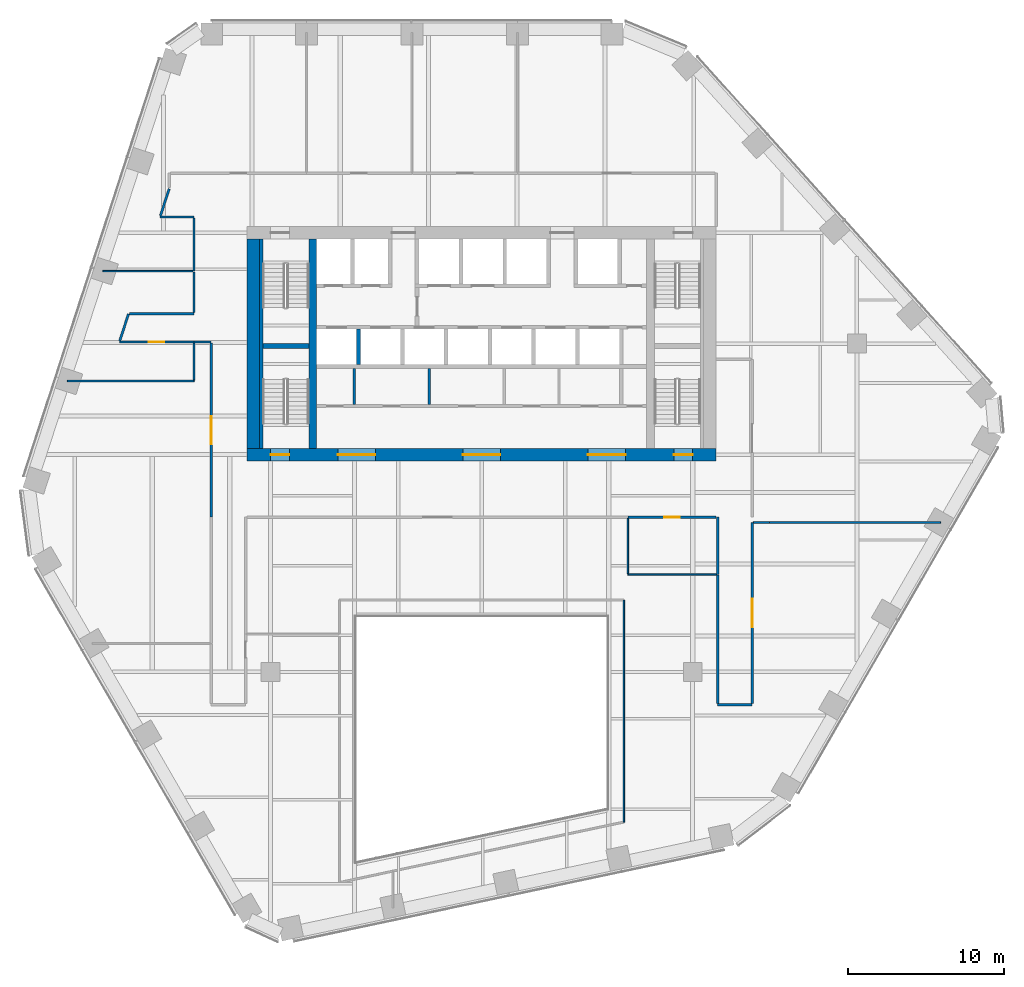
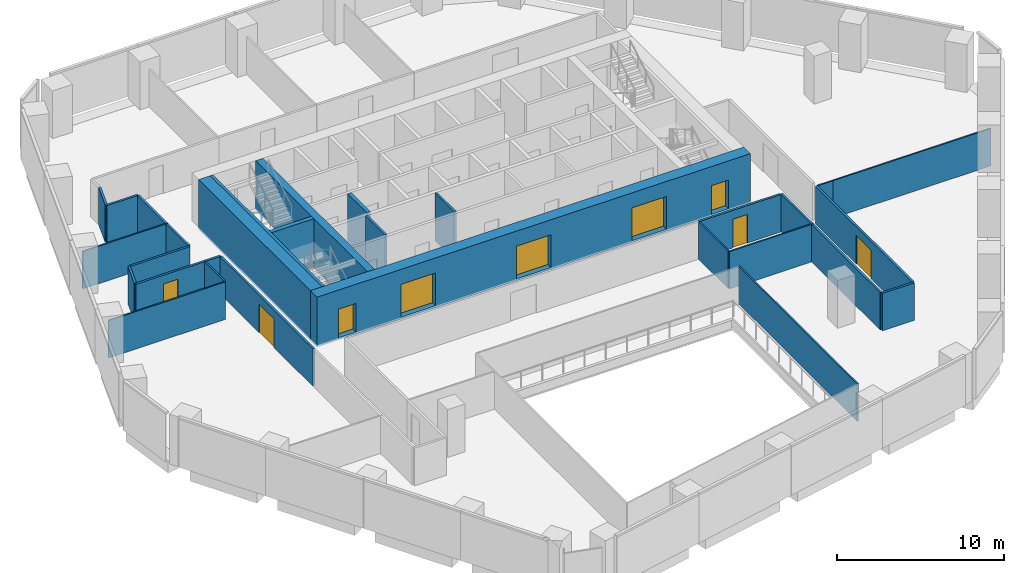
# One storey, part 11 of 16: 30 walls, 9 doors, 9 openings.
"""IFC4 building model written with IfcOpenShell, lengths in metres."""

from ifc_helpers import new_model, si_unit, direction, frame, frame_2d, origin, place, context, subcontext, project, spatial, rectangle, extrude, material, layer, layer_set, type_object, element, fill, save


model = new_model("IFC4")

# Units and contexts
model_context = context("Model", 3, precision=1e-05, world=origin(), true_north=direction((0.0, 1.0)))
body_context = subcontext(model_context, "Body", "Model", "MODEL_VIEW")
ifc_project = project(units=[si_unit("LENGTHUNIT", "METRE"), si_unit("AREAUNIT", "SQUARE_METRE"), si_unit("VOLUMEUNIT", "CUBIC_METRE"), si_unit("PLANEANGLEUNIT", "RADIAN"), si_unit("MASSUNIT", "GRAM", prefix="KILO")], contexts=[model_context])

# Site, building, storey
site_placement = place(None, origin())
site = spatial("IfcSite", under=ifc_project, at=site_placement, CompositionType="ELEMENT")
building_placement = place(site_placement, origin())
building = spatial("IfcBuilding", under=site, at=building_placement, Name="Isthmus Gate Tower", CompositionType="ELEMENT")
storey_placement = place(building_placement, frame((0.0, 0.0, 151.699951171875)))
storey = spatial("IfcBuildingStorey", under=building, at=storey_placement, Name="L37", CompositionType="ELEMENT", Elevation=151.699951171875)

# Wall
ifc_material_1 = material(Name="Fire-rated laminated glass in steel frame", Category="steel")
ifc_layer_1 = layer(ifc_material_1, 0.10009765625)
ifc_layer_set_1 = layer_set([ifc_layer_1], Name="ATRIUM SCREEN GLAZED WALL 100 120 MIN")
wall_type_1 = type_object("IfcWallType", Name="ATRIUM SCREEN GLAZED WALL 100 120 MIN", PredefinedType="PARTITIONING", material=ifc_layer_set_1)
wall_1_placement = place(storey_placement, frame((9.10009765625, -8.89990234375, 0.0), z_axis=(0.0, 0.0, 1.0), x_axis=(0.0, -1.0, 0.0)))
element("IfcWall", 1, at=wall_1_placement, inside=storey, type_object=wall_type_1, Name="L37 atrium screen", PredefinedType="PARTITIONING", context=body_context, shape_type="SweptSolid", body=[
    extrude(rectangle(XDim=14.200927734375, YDim=0.10009765625, at=frame_2d((7.1005859375, 0.0))), origin(), (0.0, 0.0, 1.0), 2.7412109375),
])

# Wall, opening, door
ifc_material_2 = material(Name="Gypsum board on steel studs, fire-rated", Category="steel")
ifc_layer_2 = layer(ifc_material_2, 0.14990234375)
ifc_layer_set_2 = layer_set([ifc_layer_2], Name="CORRIDOR WALL 150 60 MIN")
wall_type_2 = type_object("IfcWallType", Name="CORRIDOR WALL 150 60 MIN", PredefinedType="PARTITIONING", material=ifc_layer_set_2)
wall_2_placement = place(storey_placement, frame((15.0, -3.60009765625, 0.0), z_axis=(0.0, 0.0, 1.0), x_axis=(-1.0, 0.0, 0.0)))
wall_2 = element("IfcWall", 2, at=wall_2_placement, inside=storey, type_object=wall_type_2, Name="L37 Corridor Wall 150 60 Min", PredefinedType="PARTITIONING", context=body_context, shape_type="SweptSolid", body=[
    extrude(rectangle(XDim=5.64990234375, YDim=0.14990234375, at=frame_2d((2.824951171875, 0.0))), origin(), (0.0, 0.0, 1.0), 2.7412109375),
])
opening_1_placement = place(wall_2_placement, frame((2.324951171875, 0.0, 0.0)))
opening_1 = element("IfcOpeningElement", 3, at=opening_1_placement, cuts=wall_2, Name="Opening DT-T3C-08", PredefinedType="OPENING", context=body_context, shape_type="SweptSolid", body=[
    extrude(rectangle(XDim=1.0, YDim=2.10009765625, at=frame_2d((0.5, 1.050048828125))), frame((0.0, 0.0849609375, 0.0), z_axis=(0.0, -1.0, 0.0), x_axis=(1.0, 0.0, 0.0)), (0.0, 0.0, 1.0), 0.169921875),
])
ifc_material_3 = material(Name="Solid core timber door leaf, fire-rated", Category="wood")
door_type_1 = type_object("IfcDoorType", Name="FIRE DOOR ROOM 1000 X 2100 60 MIN", OperationType="SINGLE_SWING_LEFT", PredefinedType="DOOR", material=ifc_material_3)
door_1_placement = place(opening_1_placement, origin())
door_1 = element("IfcDoor", 4, at=door_1_placement, inside=storey, type_object=door_type_1, Name="L37 room door", OperationType="SINGLE_SWING_RIGHT", OverallHeight=2.10009765625, OverallWidth=1.0, PredefinedType="DOOR", context=body_context, shape_type="SweptSolid", body=[
    extrude(rectangle(XDim=1.0, YDim=2.10009765625, at=frame_2d((0.5, 1.050048828125))), frame((0.0, 0.02490234375, 0.0), z_axis=(0.0, -1.0, 0.0), x_axis=(1.0, 0.0, 0.0)), (0.0, 0.0, 1.0), 0.050048828125),
])
fill(opening_1, door_1)

# Wall
wall_3_placement = place(storey_placement, frame((-18.39990234375, 15.60009765625, 0.0), z_axis=(0.0, 0.0, 1.0), x_axis=(-1.0, 0.0, 0.0)))
element("IfcWall", 5, at=wall_3_placement, inside=storey, type_object=wall_type_2, Name="L37 Corridor Wall 150 60 Min", PredefinedType="PARTITIONING", context=body_context, shape_type="SweptSolid", body=[
    extrude(rectangle(XDim=2.174072265625, YDim=0.14990234375, at=frame_2d((1.0869140625, 0.0))), origin(), (0.0, 0.0, 1.0), 2.7412109375),
])

# Wall, opening, door
wall_4_placement = place(storey_placement, frame((-23.174072265625, 7.60009765625, 0.0), z_axis=(0.0, 0.0, 1.0), x_axis=(1.0, 0.0, 0.0)))
wall_4 = element("IfcWall", 6, at=wall_4_placement, inside=storey, type_object=wall_type_2, Name="L37 Corridor Wall 150 60 Min", PredefinedType="PARTITIONING", context=body_context, shape_type="SweptSolid", body=[
    extrude(rectangle(XDim=4.77197265625, YDim=0.14990234375, at=frame_2d((2.385986328125, 0.0))), origin(), (0.0, 0.0, 1.0), 2.7412109375),
])
opening_2_placement = place(wall_4_placement, frame((1.885986328125, 0.0, 0.0)))
opening_2 = element("IfcOpeningElement", 7, at=opening_2_placement, cuts=wall_4, Name="Opening DT-T3C-06", PredefinedType="OPENING", context=body_context, shape_type="SweptSolid", body=[
    extrude(rectangle(XDim=1.0, YDim=2.10009765625, at=frame_2d((0.5, 1.050048828125))), frame((0.0, 0.0849609375, 0.0), z_axis=(0.0, -1.0, 0.0), x_axis=(1.0, 0.0, 0.0)), (0.0, 0.0, 1.0), 0.169921875),
])
door_2_placement = place(opening_2_placement, origin())
door_2 = element("IfcDoor", 8, at=door_2_placement, inside=storey, type_object=door_type_1, Name="L37 room door", OperationType="SINGLE_SWING_RIGHT", OverallHeight=2.10009765625, OverallWidth=1.0, PredefinedType="DOOR", context=body_context, shape_type="SweptSolid", body=[
    extrude(rectangle(XDim=1.0, YDim=2.10009765625, at=frame_2d((0.5, 1.050048828125))), frame((0.0, 0.02490234375, 0.0), z_axis=(0.0, -1.0, 0.0), x_axis=(1.0, 0.0, 0.0)), (0.0, 0.0, 1.0), 0.050048828125),
])
fill(opening_2, door_2)

# Walls
wall_5_placement = place(storey_placement, frame((-17.298095703125, 7.60205078125, 0.0), z_axis=(0.0, 0.0, 1.0), x_axis=(-1.0, 0.0, 0.0)))
element("IfcWall", 9, at=wall_5_placement, inside=storey, type_object=wall_type_2, Name="L37 Corridor Wall 150 60 Min", PredefinedType="PARTITIONING", context=body_context, shape_type="SweptSolid", body=[
    extrude(rectangle(XDim=1.10400390625, YDim=0.14990234375, at=frame_2d((0.552001953125, 0.0))), origin(), (0.0, 0.0, 1.0), 2.7412109375),
])
wall_6_placement = place(storey_placement, frame((17.300048828125, -15.60009765625, 0.0), z_axis=(0.0, 0.0, 1.0), x_axis=(-1.0, 0.0, 0.0)))
element("IfcWall", 10, at=wall_6_placement, inside=storey, type_object=wall_type_2, Name="L37 Corridor Wall 150 60 Min", PredefinedType="PARTITIONING", context=body_context, shape_type="SweptSolid", body=[
    extrude(rectangle(XDim=2.199951171875, YDim=0.14990234375, at=frame_2d((1.10009765625, 0.0))), origin(), (0.0, 0.0, 1.0), 2.7412109375),
])

# Wall, opening, door
wall_7_placement = place(storey_placement, frame((17.300048828125, -3.93994140625, 0.0), z_axis=(0.0, 0.0, 1.0), x_axis=(0.0, -1.0, 0.0)))
wall_7 = element("IfcWall", 11, at=wall_7_placement, inside=storey, type_object=wall_type_2, Name="L37 Corridor Wall 150 60 Min", PredefinedType="PARTITIONING", context=body_context, shape_type="SweptSolid", body=[
    extrude(rectangle(XDim=11.5849609375, YDim=0.14990234375, at=frame_2d((5.79248046875, 0.0))), origin(), (0.0, 0.0, 1.0), 2.7412109375),
])
opening_3_placement = place(wall_7_placement, frame((4.892578125, 0.0, 0.0)))
opening_3 = element("IfcOpeningElement", 12, at=opening_3_placement, cuts=wall_7, Name="Opening DT-T3C-10", PredefinedType="OPENING", context=body_context, shape_type="SweptSolid", body=[
    extrude(rectangle(XDim=1.800048828125, YDim=2.10009765625, at=frame_2d((0.89990234375, 1.050048828125))), frame((0.0, 0.0849609375, 0.0), z_axis=(0.0, -1.0, 0.0), x_axis=(1.0, 0.0, 0.0)), (0.0, 0.0, 1.0), 0.169921875),
])
ifc_material_4 = material(Name="Solid core timber door leaf, fire-rated", Category="wood")
door_type_2 = type_object("IfcDoorType", Name="FIRE DOOR ROOM 1800 X 2100 60 MIN", OperationType="DOUBLE_DOOR_DOUBLE_SWING", PredefinedType="DOOR", material=ifc_material_4)
door_3_placement = place(opening_3_placement, origin())
door_3 = element("IfcDoor", 13, at=door_3_placement, inside=storey, type_object=door_type_2, Name="L37 room door", OperationType="DOUBLE_DOOR_DOUBLE_SWING", OverallHeight=2.10009765625, OverallWidth=1.800048828125, PredefinedType="DOOR", context=body_context, shape_type="SweptSolid", body=[
    extrude(rectangle(XDim=1.800048828125, YDim=2.10009765625, at=frame_2d((0.89990234375, 1.050048828125))), frame((0.0, 0.02490234375, 0.0), z_axis=(0.0, -1.0, 0.0), x_axis=(1.0, 0.0, 0.0)), (0.0, 0.0, 1.0), 0.050048828125),
])
fill(opening_3, door_3)

# Walls
wall_8_placement = place(storey_placement, frame((-20.55078125, 15.67138671875, 0.0), z_axis=(0.0, 0.0, 1.0), x_axis=(0.30859997516, 0.951191912987, 0.0)))
element("IfcWall", 14, at=wall_8_placement, inside=storey, type_object=wall_type_2, Name="L37 Corridor Wall 150 60 Min", PredefinedType="PARTITIONING", context=body_context, shape_type="SweptSolid", body=[
    extrude(rectangle(XDim=1.817138671875, YDim=0.14990234375, at=frame_2d((0.90869140625, 0.0))), origin(), (0.0, 0.0, 1.0), 2.7412109375),
])
wall_9_placement = place(storey_placement, frame((-18.39990234375, 12.14111328125, 0.0), z_axis=(0.0, 0.0, 1.0), x_axis=(0.0, 1.0, 0.0)))
element("IfcWall", 15, at=wall_9_placement, inside=storey, type_object=wall_type_2, Name="L37 Corridor Wall 150 60 Min", PredefinedType="PARTITIONING", context=body_context, shape_type="SweptSolid", body=[
    extrude(rectangle(XDim=3.3837890625, YDim=0.14990234375, at=frame_2d((1.69189453125, 0.0))), origin(), (0.0, 0.0, 1.0), 2.7412109375),
])
wall_10_placement = place(storey_placement, frame((-23.15087890625, 7.67138671875, 0.0), z_axis=(0.0, 0.0, 1.0), x_axis=(0.309086072338, 0.951034068731, 0.0)))
element("IfcWall", 16, at=wall_10_placement, inside=storey, type_object=wall_type_2, Name="L37 Corridor Wall 150 60 Min", PredefinedType="PARTITIONING", context=body_context, shape_type="SweptSolid", body=[
    extrude(rectangle(XDim=1.817626953125, YDim=0.14990234375, at=frame_2d((0.90869140625, 0.0))), origin(), (0.0, 0.0, 1.0), 2.7412109375),
])
wall_11_placement = place(storey_placement, frame((-22.513916015625, 9.39990234375, 0.0), z_axis=(0.0, 0.0, 1.0), x_axis=(1.0, 0.0, 0.0)))
element("IfcWall", 17, at=wall_11_placement, inside=storey, type_object=wall_type_2, Name="L37 Corridor Wall 150 60 Min", PredefinedType="PARTITIONING", context=body_context, shape_type="SweptSolid", body=[
    extrude(rectangle(XDim=4.114013671875, YDim=0.14990234375, at=frame_2d((2.05712890625, 0.0))), origin(), (0.0, 0.0, 1.0), 2.7412109375),
])
wall_12_placement = place(storey_placement, frame((-18.39990234375, 9.47509765625, 0.0), z_axis=(0.0, 0.0, 1.0), x_axis=(0.0, 1.0, 0.0)))
element("IfcWall", 18, at=wall_12_placement, inside=storey, type_object=wall_type_2, Name="L37 Corridor Wall 150 60 Min", PredefinedType="PARTITIONING", context=body_context, shape_type="SweptSolid", body=[
    extrude(rectangle(XDim=2.615966796875, YDim=0.14990234375, at=frame_2d((1.30810546875, 0.0))), origin(), (0.0, 0.0, 1.0), 2.7412109375),
])

# Wall, opening, door
wall_13_placement = place(storey_placement, frame((-17.298095703125, -3.60205078125, 0.0), z_axis=(0.0, 0.0, 1.0), x_axis=(0.0, 1.0, 0.0)))
wall_13 = element("IfcWall", 19, at=wall_13_placement, inside=storey, type_object=wall_type_2, Name="L37 Corridor Wall 150 60 Min", PredefinedType="PARTITIONING", context=body_context, shape_type="SweptSolid", body=[
    extrude(rectangle(XDim=11.129150390625, YDim=0.14990234375, at=frame_2d((5.564453125, 0.0))), origin(), (0.0, 0.0, 1.0), 2.7412109375),
])
opening_4_placement = place(wall_13_placement, frame((4.66455078125, 0.0, 0.0)))
opening_4 = element("IfcOpeningElement", 20, at=opening_4_placement, cuts=wall_13, Name="Opening DT-T3C-07", PredefinedType="OPENING", context=body_context, shape_type="SweptSolid", body=[
    extrude(rectangle(XDim=1.800048828125, YDim=2.10009765625, at=frame_2d((0.89990234375, 1.050048828125))), frame((0.0, 0.0849609375, 0.0), z_axis=(0.0, -1.0, 0.0), x_axis=(1.0, 0.0, 0.0)), (0.0, 0.0, 1.0), 0.169921875),
])
door_4_placement = place(opening_4_placement, origin())
door_4 = element("IfcDoor", 21, at=door_4_placement, inside=storey, type_object=door_type_2, Name="L37 room door", OperationType="DOUBLE_DOOR_DOUBLE_SWING", OverallHeight=2.10009765625, OverallWidth=1.800048828125, PredefinedType="DOOR", context=body_context, shape_type="SweptSolid", body=[
    extrude(rectangle(XDim=1.800048828125, YDim=2.10009765625, at=frame_2d((0.89990234375, 1.050048828125))), frame((0.0, 0.02490234375, 0.0), z_axis=(0.0, -1.0, 0.0), x_axis=(1.0, 0.0, 0.0)), (0.0, 0.0, 1.0), 0.050048828125),
])
fill(opening_4, door_4)

# Walls
wall_14_placement = place(storey_placement, frame((15.10009765625, -7.257080078125, 0.0), z_axis=(0.0, 0.0, 1.0), x_axis=(0.0, 1.0, 0.0)))
element("IfcWall", 22, at=wall_14_placement, inside=storey, type_object=wall_type_2, Name="L37 Corridor Wall 150 60 Min", PredefinedType="PARTITIONING", context=body_context, shape_type="SweptSolid", body=[
    extrude(rectangle(XDim=3.656982421875, YDim=0.14990234375, at=frame_2d((1.82861328125, 0.0))), origin(), (0.0, 0.0, 1.0), 2.7412109375),
])
wall_15_placement = place(storey_placement, frame((15.10009765625, -15.52490234375, 0.0), z_axis=(0.0, 0.0, 1.0), x_axis=(0.0, 1.0, 0.0)))
element("IfcWall", 23, at=wall_15_placement, inside=storey, type_object=wall_type_2, Name="L37 Corridor Wall 150 60 Min", PredefinedType="PARTITIONING", context=body_context, shape_type="SweptSolid", body=[
    extrude(rectangle(XDim=8.218017578125, YDim=0.14990234375, at=frame_2d((4.10888671875, 0.0))), origin(), (0.0, 0.0, 1.0), 2.7412109375),
])
ifc_material_5 = material(Name="Concrete f'c 60 MPa", Category="concrete")
ifc_layer_3 = layer(ifc_material_5, 0.5)
ifc_layer_set_3 = layer_set([ifc_layer_3], Name="RC CORE SPINE WALL 500 F'C 60")
wall_type_3 = type_object("IfcWallType", Name="RC CORE SPINE WALL 500 F'C 60", PredefinedType="SOLIDWALL", material=ifc_layer_set_3)
wall_16_placement = place(storey_placement, frame((-10.800048828125, 0.800048828125, -0.14990234375), z_axis=(0.0, 0.0, 1.0), x_axis=(0.0, 1.0, 0.0)))
element("IfcWall", 24, at=wall_16_placement, inside=storey, type_object=wall_type_3, Name="str-corewall-L37-SPW", PredefinedType="SOLIDWALL", context=body_context, shape_type="SweptSolid", body=[
    extrude(rectangle(XDim=13.39990234375, YDim=0.5, at=frame_2d((6.699951171875, 0.0))), origin(), (0.0, 0.0, 1.0), 3.64990234375),
])

# Wall, openings, doors
ifc_material_6 = material(Name="Concrete f'c 60 MPa", Category="concrete")
ifc_layer_4 = layer(ifc_material_6, 0.800048828125)
ifc_layer_set_4 = layer_set([ifc_layer_4], Name="RC CORE WALL 800 F'C 60")
wall_type_4 = type_object("IfcWallType", Name="RC CORE WALL 800 F'C 60", PredefinedType="SOLIDWALL", material=ifc_layer_set_4)
wall_17_placement = place(storey_placement, frame((-15.0, 0.39990234375, -0.14990234375), z_axis=(0.0, 0.0, 1.0), x_axis=(1.0, 0.0, 0.0)))
wall_17 = element("IfcWall", 25, at=wall_17_placement, inside=storey, type_object=wall_type_4, Name="str-corewall-L37-S", PredefinedType="SOLIDWALL", context=body_context, shape_type="SweptSolid", body=[
    extrude(rectangle(XDim=30.0, YDim=0.800048828125, at=frame_2d((15.0, 0.0))), origin(), (0.0, 0.0, 1.0), 3.64990234375),
])
opening_5_placement = place(wall_17_placement, frame((5.800048828125, 0.0, 0.14990234375)))
opening_5 = element("IfcOpeningElement", 26, at=opening_5_placement, cuts=wall_17, Name="Opening DC-A12-10", PredefinedType="OPENING", context=body_context, shape_type="SweptSolid", body=[
    extrude(rectangle(XDim=2.39990234375, YDim=2.39990234375, at=frame_2d((1.199951171875, 1.199951171875))), frame((0.0, 0.409912109375, 0.0), z_axis=(0.0, -1.0, 0.0), x_axis=(1.0, 0.0, 0.0)), (0.0, 0.0, 1.0), 0.820068359375),
])
opening_6_placement = place(wall_17_placement, frame((13.800048828125, 0.0, 0.14990234375)))
opening_6 = element("IfcOpeningElement", 27, at=opening_6_placement, cuts=wall_17, Name="Opening DC-A12-11", PredefinedType="OPENING", context=body_context, shape_type="SweptSolid", body=[
    extrude(rectangle(XDim=2.39990234375, YDim=2.39990234375, at=frame_2d((1.199951171875, 1.199951171875))), frame((0.0, 0.409912109375, 0.0), z_axis=(0.0, -1.0, 0.0), x_axis=(1.0, 0.0, 0.0)), (0.0, 0.0, 1.0), 0.820068359375),
])
opening_7_placement = place(wall_17_placement, frame((21.800048828125, 0.0, 0.14990234375)))
opening_7 = element("IfcOpeningElement", 28, at=opening_7_placement, cuts=wall_17, Name="Opening DC-A12-12", PredefinedType="OPENING", context=body_context, shape_type="SweptSolid", body=[
    extrude(rectangle(XDim=2.39990234375, YDim=2.39990234375, at=frame_2d((1.199951171875, 1.199951171875))), frame((0.0, 0.409912109375, 0.0), z_axis=(0.0, -1.0, 0.0), x_axis=(1.0, 0.0, 0.0)), (0.0, 0.0, 1.0), 0.820068359375),
])
opening_8_placement = place(wall_17_placement, frame((1.5, 0.0, 0.14990234375)))
opening_8 = element("IfcOpeningElement", 29, at=opening_8_placement, cuts=wall_17, Name="Opening DC-A12-17", PredefinedType="OPENING", context=body_context, shape_type="SweptSolid", body=[
    extrude(rectangle(XDim=1.199951171875, YDim=2.10009765625, at=frame_2d((0.60009765625, 1.050048828125))), frame((0.0, 0.409912109375, 0.0), z_axis=(0.0, -1.0, 0.0), x_axis=(1.0, 0.0, 0.0)), (0.0, 0.0, 1.0), 0.820068359375),
])
opening_9_placement = place(wall_17_placement, frame((27.300048828125, 0.0, 0.14990234375)))
opening_9 = element("IfcOpeningElement", 30, at=opening_9_placement, cuts=wall_17, Name="Opening DC-A12-18", PredefinedType="OPENING", context=body_context, shape_type="SweptSolid", body=[
    extrude(rectangle(XDim=1.199951171875, YDim=2.10009765625, at=frame_2d((0.60009765625, 1.050048828125))), frame((0.0, 0.409912109375, 0.0), z_axis=(0.0, -1.0, 0.0), x_axis=(1.0, 0.0, 0.0)), (0.0, 0.0, 1.0), 0.820068359375),
])
ifc_material_7 = material(Name="Laminated safety glass in steel frame, fire-rated", Category="steel")
door_type_3 = type_object("IfcDoorType", Name="LOBBY ENTRANCE FIRE DOOR 2400 X 2400 60 MIN", OperationType="DOUBLE_DOOR_DOUBLE_SWING", PredefinedType="DOOR", material=ifc_material_7)
door_5_placement = place(opening_5_placement, origin())
door_5 = element("IfcDoor", 31, at=door_5_placement, inside=storey, type_object=door_type_3, Name="Lobby Entrance PS-W", OperationType="DOUBLE_DOOR_DOUBLE_SWING", OverallHeight=2.39990234375, OverallWidth=2.39990234375, PredefinedType="DOOR", context=body_context, shape_type="SweptSolid", body=[
    extrude(rectangle(XDim=2.39990234375, YDim=2.39990234375, at=frame_2d((1.199951171875, 1.199951171875))), frame((0.0, 0.02490234375, 0.0), z_axis=(0.0, -1.0, 0.0), x_axis=(1.0, 0.0, 0.0)), (0.0, 0.0, 1.0), 0.050048828125),
])
fill(opening_5, door_5)
door_6_placement = place(opening_6_placement, origin())
door_6 = element("IfcDoor", 32, at=door_6_placement, inside=storey, type_object=door_type_3, Name="Lobby Entrance PS-C", OperationType="DOUBLE_DOOR_DOUBLE_SWING", OverallHeight=2.39990234375, OverallWidth=2.39990234375, PredefinedType="DOOR", context=body_context, shape_type="SweptSolid", body=[
    extrude(rectangle(XDim=2.39990234375, YDim=2.39990234375, at=frame_2d((1.199951171875, 1.199951171875))), frame((0.0, 0.02490234375, 0.0), z_axis=(0.0, -1.0, 0.0), x_axis=(1.0, 0.0, 0.0)), (0.0, 0.0, 1.0), 0.050048828125),
])
fill(opening_6, door_6)
door_7_placement = place(opening_7_placement, origin())
door_7 = element("IfcDoor", 33, at=door_7_placement, inside=storey, type_object=door_type_3, Name="Lobby Entrance PS-E", OperationType="DOUBLE_DOOR_DOUBLE_SWING", OverallHeight=2.39990234375, OverallWidth=2.39990234375, PredefinedType="DOOR", context=body_context, shape_type="SweptSolid", body=[
    extrude(rectangle(XDim=2.39990234375, YDim=2.39990234375, at=frame_2d((1.199951171875, 1.199951171875))), frame((0.0, 0.02490234375, 0.0), z_axis=(0.0, -1.0, 0.0), x_axis=(1.0, 0.0, 0.0)), (0.0, 0.0, 1.0), 0.050048828125),
])
fill(opening_7, door_7)
ifc_material_8 = material(Name="Steel door leaf, fire-rated", Category="steel")
door_type_4 = type_object("IfcDoorType", Name="STAIR FIRE DOOR 1200 X 2100 90 MIN", OperationType="SINGLE_SWING_LEFT", PredefinedType="DOOR", material=ifc_material_8)
door_8_placement = place(opening_8_placement, origin())
door_8 = element("IfcDoor", 34, at=door_8_placement, inside=storey, type_object=door_type_4, Name="Exit Stair 7 Door", OperationType="SINGLE_SWING_LEFT", OverallHeight=2.10009765625, OverallWidth=1.199951171875, PredefinedType="DOOR", context=body_context, shape_type="SweptSolid", body=[
    extrude(rectangle(XDim=1.199951171875, YDim=2.10009765625, at=frame_2d((0.60009765625, 1.050048828125))), frame((0.0, 0.02490234375, 0.0), z_axis=(0.0, -1.0, 0.0), x_axis=(1.0, 0.0, 0.0)), (0.0, 0.0, 1.0), 0.050048828125),
])
fill(opening_8, door_8)
door_9_placement = place(opening_9_placement, origin())
door_9 = element("IfcDoor", 35, at=door_9_placement, inside=storey, type_object=door_type_4, Name="Exit Stair 8 Door", OperationType="SINGLE_SWING_RIGHT", OverallHeight=2.10009765625, OverallWidth=1.199951171875, PredefinedType="DOOR", context=body_context, shape_type="SweptSolid", body=[
    extrude(rectangle(XDim=1.199951171875, YDim=2.10009765625, at=frame_2d((0.60009765625, 1.050048828125))), frame((0.0, 0.02490234375, 0.0), z_axis=(0.0, -1.0, 0.0), x_axis=(1.0, 0.0, 0.0)), (0.0, 0.0, 1.0), 0.050048828125),
])
fill(opening_9, door_9)

# Walls
wall_18_placement = place(storey_placement, frame((-14.60009765625, 0.800048828125, -0.14990234375), z_axis=(0.0, 0.0, 1.0), x_axis=(0.0, 1.0, 0.0)))
element("IfcWall", 36, at=wall_18_placement, inside=storey, type_object=wall_type_4, Name="str-corewall-L37-W", PredefinedType="SOLIDWALL", context=body_context, shape_type="SweptSolid", body=[
    extrude(rectangle(XDim=13.39990234375, YDim=0.800048828125, at=frame_2d((6.699951171875, 0.0))), origin(), (0.0, 0.0, 1.0), 3.64990234375),
])
ifc_material_9 = material(Name="Gypsum board on steel studs, fire-rated", Category="steel")
ifc_layer_5 = layer(ifc_material_9, 0.10009765625)
ifc_layer_set_5 = layer_set([ifc_layer_5], Name="ROOM PARTITION 100 30 MIN")
wall_type_5 = type_object("IfcWallType", Name="ROOM PARTITION 100 30 MIN", PredefinedType="PARTITIONING", material=ifc_layer_set_5)
wall_19_placement = place(storey_placement, frame((-24.221923828125, 12.14111328125, 0.0), z_axis=(0.0, 0.0, 1.0), x_axis=(1.0, 0.0, 0.0)))
element("IfcWall", 37, at=wall_19_placement, inside=storey, type_object=wall_type_5, Name="L37 Room Partition 100 30 Min", PredefinedType="PARTITIONING", context=body_context, shape_type="SweptSolid", body=[
    extrude(rectangle(XDim=5.746826171875, YDim=0.10009765625, at=frame_2d((2.87353515625, 0.0))), origin(), (0.0, 0.0, 1.0), 2.7412109375),
])
wall_20_placement = place(storey_placement, frame((18.403076171875, -3.94189453125, 0.0), z_axis=(0.0, 0.0, 1.0), x_axis=(-0.999998618361, 0.001662310693, 0.0)))
element("IfcWall", 38, at=wall_20_placement, inside=storey, type_object=wall_type_5, Name="L37 Room Partition 100 30 Min", PredefinedType="PARTITIONING", context=body_context, shape_type="SweptSolid", body=[
    extrude(rectangle(XDim=1.028076171875, YDim=0.10009765625, at=frame_2d((0.51416015625, 0.0))), origin(), (0.0, 0.0, 1.0), 2.7412109375),
])
wall_21_placement = place(storey_placement, frame((18.403076171875, -3.93994140625, 0.0), z_axis=(0.0, 0.0, 1.0), x_axis=(1.0, 0.0, 0.0)))
element("IfcWall", 39, at=wall_21_placement, inside=storey, type_object=wall_type_5, Name="L37 Room Partition 100 30 Min", PredefinedType="PARTITIONING", context=body_context, shape_type="SweptSolid", body=[
    extrude(rectangle(XDim=10.9609375, YDim=0.10009765625, at=frame_2d((5.48046875, 0.0))), origin(), (0.0, 0.0, 1.0), 2.7412109375),
])
wall_22_placement = place(storey_placement, frame((-26.506103515625, 5.111083984375, 0.0), z_axis=(0.0, 0.0, 1.0), x_axis=(1.0, 0.0, 0.0)))
element("IfcWall", 40, at=wall_22_placement, inside=storey, type_object=wall_type_5, Name="L37 Room Partition 100 30 Min", PredefinedType="PARTITIONING", context=body_context, shape_type="SweptSolid", body=[
    extrude(rectangle(XDim=8.106201171875, YDim=0.10009765625, at=frame_2d((4.05322265625, 0.0))), origin(), (0.0, 0.0, 1.0), 2.7412109375),
])
wall_23_placement = place(storey_placement, frame((-18.40185546875, 7.52490234375, 0.0), z_axis=(0.0, 0.0, 1.0), x_axis=(0.000826189948, -0.999999658705, 0.0)))
element("IfcWall", 41, at=wall_23_placement, inside=storey, type_object=wall_type_5, Name="L37 Room Partition 100 30 Min", PredefinedType="PARTITIONING", context=body_context, shape_type="SweptSolid", body=[
    extrude(rectangle(XDim=2.364013671875, YDim=0.10009765625, at=frame_2d((1.18212890625, 0.0))), origin(), (0.0, 0.0, 1.0), 2.7412109375),
])
wall_24_placement = place(storey_placement, frame((9.35009765625, -7.257080078125, 0.0), z_axis=(0.0, 0.0, 1.0), x_axis=(1.0, 0.0, 0.0)))
element("IfcWall", 42, at=wall_24_placement, inside=storey, type_object=wall_type_5, Name="L37 Room Partition 100 30 Min", PredefinedType="PARTITIONING", context=body_context, shape_type="SweptSolid", body=[
    extrude(rectangle(XDim=5.6748046875, YDim=0.10009765625, at=frame_2d((2.83740234375, 0.0))), origin(), (0.0, 0.0, 1.0), 2.7412109375),
])
wall_25_placement = place(storey_placement, frame((9.35009765625, -7.20703125, 0.0), z_axis=(0.0, 0.0, 1.0), x_axis=(0.0, 1.0, 0.0)))
element("IfcWall", 43, at=wall_25_placement, inside=storey, type_object=wall_type_5, Name="L37 Room Partition 100 30 Min", PredefinedType="PARTITIONING", context=body_context, shape_type="SweptSolid", body=[
    extrude(rectangle(XDim=3.531982421875, YDim=0.10009765625, at=frame_2d((1.76611328125, 0.0))), origin(), (0.0, 0.0, 1.0), 2.7412109375),
])
ifc_material_10 = material(Name="Gypsum board on steel studs, fire-rated", Category="steel")
ifc_layer_6 = layer(ifc_material_10, 0.14990234375)
ifc_layer_set_6 = layer_set([ifc_layer_6], Name="ROOM PARTITION 150 60 MIN")
wall_type_6 = type_object("IfcWallType", Name="ROOM PARTITION 150 60 MIN", PredefinedType="PARTITIONING", material=ifc_layer_set_6)
for number, where, z_axis, x_axis, name in (
    (44, (-8.14990234375, 3.60009765625, 0.0), (0.0, 0.0, 1.0), (0.0, 1.0, 0.0), "L37 ROOM PARTITION 150 60 MIN"),
    (45, (-3.35009765625, 3.60009765625, 0.0), (0.0, 0.0, 1.0), (0.0, 1.0, 0.0), "L37 ROOM PARTITION 150 60 MIN"),
):
    element("IfcWall", number, at=place(storey_placement, frame(where, z_axis=z_axis, x_axis=x_axis)), inside=storey, type_object=wall_type_6, Name=name, PredefinedType="PARTITIONING", context=body_context, shape_type="SweptSolid", body=[
        extrude(rectangle(XDim=2.2998046875, YDim=0.14990234375, at=frame_2d((1.14990234375, 0.0))), origin(), (0.0, 0.0, 1.0), 3.5),
    ])
ifc_material_11 = material(Name="Fire-rated blockwork masonry, 15 MPa", Category="masonry")
ifc_layer_7 = layer(ifc_material_11, 0.25)
ifc_layer_set_7 = layer_set([ifc_layer_7], Name="SHAFT WALL 250 120 MIN")
wall_type_7 = type_object("IfcWallType", Name="SHAFT WALL 250 120 MIN", PredefinedType="PARTITIONING", material=ifc_layer_set_7)
wall_26_placement = place(storey_placement, frame((-7.875, 6.14990234375, 0.0), z_axis=(0.0, 0.0, 1.0), x_axis=(0.0, 1.0, 0.0)))
element("IfcWall", 46, at=wall_26_placement, inside=storey, type_object=wall_type_7, Name="L37 SHAFT WALL 250 120 MIN", PredefinedType="PARTITIONING", context=body_context, shape_type="SweptSolid", body=[
    extrude(rectangle(XDim=2.300048828125, YDim=0.25, at=frame_2d((1.14990234375, 0.0))), origin(), (0.0, 0.0, 1.0), 3.5),
])
ifc_material_12 = material(Name="Concrete f'c 40 MPa", Category="concrete")
ifc_layer_8 = layer(ifc_material_12, 0.199951171875)
ifc_layer_set_8 = layer_set([ifc_layer_8], Name="STAIR ENCLOSURE WALL 200 180 MIN")
wall_type_8 = type_object("IfcWallType", Name="STAIR ENCLOSURE WALL 200 180 MIN", PredefinedType="SOLIDWALL", material=ifc_layer_set_8)
wall_27_placement = place(storey_placement, frame((-14.10009765625, 0.800048828125, 0.0), z_axis=(0.0, 0.0, 1.0), x_axis=(0.0, 1.0, 0.0)))
element("IfcWall", 47, at=wall_27_placement, inside=storey, type_object=wall_type_8, Name="L37 STAIR ENCLOSURE WALL 200 180 MIN", PredefinedType="SOLIDWALL", context=body_context, shape_type="SweptSolid", body=[
    extrude(rectangle(XDim=13.39990234375, YDim=0.199951171875, at=frame_2d((6.699951171875, 0.0))), origin(), (0.0, 0.0, 1.0), 3.5),
])
ifc_material_13 = material(Name="Concrete f'c 40 MPa", Category="concrete")
ifc_layer_9 = layer(ifc_material_13, 0.300048828125)
ifc_layer_set_9 = layer_set([ifc_layer_9], Name="STAIR ENCLOSURE WALL 300 180 MIN")
wall_type_9 = type_object("IfcWallType", Name="STAIR ENCLOSURE WALL 300 180 MIN", PredefinedType="SOLIDWALL", material=ifc_layer_set_9)
wall_28_placement = place(storey_placement, frame((-14.0, 7.35009765625, 0.0), z_axis=(0.0, 0.0, 1.0), x_axis=(1.0, 0.0, 0.0)))
element("IfcWall", 48, at=wall_28_placement, inside=storey, type_object=wall_type_9, Name="L37 STAIR ENCLOSURE WALL 300 180 MIN", PredefinedType="SOLIDWALL", context=body_context, shape_type="SweptSolid", body=[
    extrude(rectangle(XDim=2.949951171875, YDim=0.300048828125, at=frame_2d((1.47509765625, 0.0))), origin(), (0.0, 0.0, 1.0), 3.5),
])

save(model, "model.ifc")
